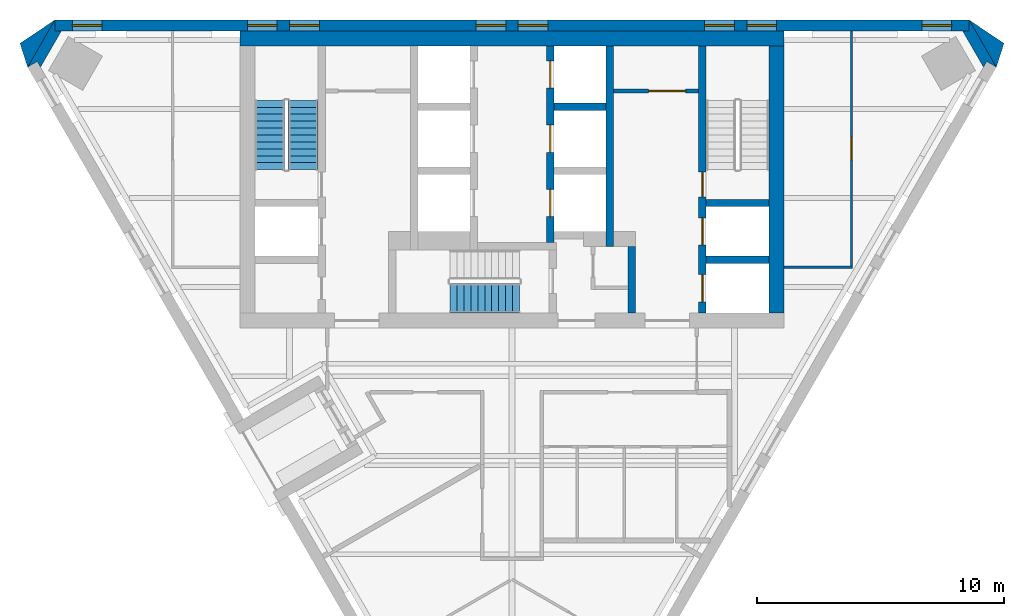
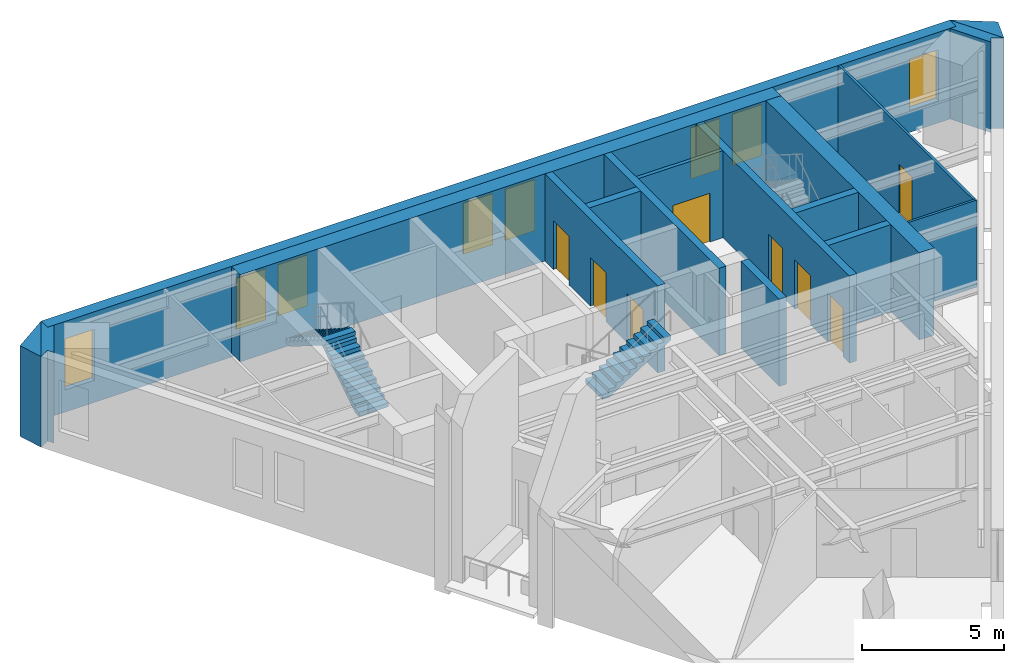
# One storey, part 5 of 7: 17 walls, 8 doors, 8 windows, 3 stair flights, 16 openings, 2 elements without a shape of their own.
"""IFC4 building model written with IfcOpenShell, lengths in metres."""

from ifc_helpers import new_model, si_unit, direction, frame, frame_2d, origin, place, context, subcontext, project, spatial, polyline, rectangle, outline, extrude, material, layer, layer_set, type_object, element, fill, aggregate, save


model = new_model("IFC4")

# Units and contexts
model_context = context("Model", 3, precision=1e-05, world=origin(), true_north=direction((0.0, 1.0)))
body_context = subcontext(model_context, "Body", "Model", "MODEL_VIEW")
ifc_project = project(units=[si_unit("LENGTHUNIT", "METRE"), si_unit("AREAUNIT", "SQUARE_METRE"), si_unit("VOLUMEUNIT", "CUBIC_METRE"), si_unit("PLANEANGLEUNIT", "RADIAN"), si_unit("MASSUNIT", "GRAM", prefix="KILO")], contexts=[model_context])

# Site, building, storey
site_placement = place(None, origin())
site = spatial("IfcSite", under=ifc_project, at=site_placement, CompositionType="ELEMENT")
building_placement = place(site_placement, origin())
building = spatial("IfcBuilding", under=site, at=building_placement, Name="Aloe Facet Convention Tower", CompositionType="ELEMENT")
storey_placement = place(building_placement, frame((0.0, 0.0, 258.199951171875)))
storey = spatial("IfcBuildingStorey", under=building, at=storey_placement, Name="L63", CompositionType="ELEMENT", Elevation=258.199951171875)

# Wall, opening, door
ifc_material_1 = material(Name="Concrete blockwork partition", Category="masonry")
ifc_layer_1 = layer(ifc_material_1, 0.14990234375)
ifc_layer_set_1 = layer_set([ifc_layer_1], Name="CR-W-PART150")
wall_type_1 = type_object("IfcWallType", Name="CR-W-PART150", PredefinedType="PARTITIONING", material=ifc_layer_set_1)
wall_1_placement = place(storey_placement, frame((84.10009765625, 132.125, 0.0), z_axis=(0.0, 0.0, 1.0), x_axis=(1.0, 0.0, 0.0)))
wall_1 = element("IfcWall", 1, at=wall_1_placement, inside=storey, type_object=wall_type_1, Name="Core partition L63-025", PredefinedType="PARTITIONING", context=body_context, shape_type="SweptSolid", body=[
    extrude(rectangle(XDim=3.449951171875, YDim=0.14990234375, at=frame_2d((1.72509765625, 0.0))), origin(), (0.0, 0.0, 1.0), 3.75),
])
opening_1_placement = place(wall_1_placement, frame((1.425048828125, 0.0, 0.0)))
opening_1 = element("IfcOpeningElement", 2, at=opening_1_placement, cuts=wall_1, Name="Opening L63-CD13", PredefinedType="OPENING", context=body_context, shape_type="SweptSolid", body=[
    extrude(rectangle(XDim=1.5, YDim=2.10009765625, at=frame_2d((0.75, 1.050048828125))), frame((0.0, 0.0849609375, 0.0), z_axis=(0.0, -1.0, 0.0), x_axis=(1.0, 0.0, 0.0)), (0.0, 0.0, 1.0), 0.169921875),
])
ifc_material_2 = material(Name="Steel fire-resisting door set FD60", Category="steel")
door_type_1 = type_object("IfcDoorType", Name="CR-D-REFUGE-1500-FD60-DD", OperationType="DOUBLE_DOOR_DOUBLE_SWING", PredefinedType="DOOR", material=ifc_material_2)
door_1_placement = place(opening_1_placement, origin())
door_1 = element("IfcDoor", 3, at=door_1_placement, inside=storey, type_object=door_type_1, Name="Core door L63-CD13", OperationType="DOUBLE_DOOR_DOUBLE_SWING", OverallHeight=2.10009765625, OverallWidth=1.5, PredefinedType="DOOR", context=body_context, shape_type="SweptSolid", body=[
    extrude(rectangle(XDim=1.5, YDim=2.10009765625, at=frame_2d((0.75, 1.050048828125))), frame((0.0, 0.02490234375, 0.0), z_axis=(0.0, -1.0, 0.0), x_axis=(1.0, 0.0, 0.0)), (0.0, 0.0, 1.0), 0.050048828125),
])
fill(opening_1, door_1)

# Wall, openings, doors
ifc_material_3 = material(Name="Concrete C50/60", Category="concrete")
ifc_layer_2 = layer(ifc_material_3, 0.300048828125)
ifc_layer_set_2 = layer_set([ifc_layer_2], Name="CR-W-RC300-C5060")
wall_type_2 = type_object("IfcWallType", Name="CR-W-RC300-C5060", PredefinedType="SOLIDWALL", material=ifc_layer_set_2)
wall_2_placement = place(storey_placement, frame((81.550048828125, 133.949951171875, 0.0), z_axis=(0.0, 0.0, 1.0), x_axis=(0.0, -1.0, 0.0)))
wall_2 = element("IfcWall", 4, at=wall_2_placement, inside=storey, type_object=wall_type_2, Name="Core wall L63-016", PredefinedType="SOLIDWALL", context=body_context, shape_type="SweptSolid", body=[
    extrude(rectangle(XDim=7.949951171875, YDim=0.300048828125, at=frame_2d((3.97509765625, 0.0))), origin(), (0.0, 0.0, 1.0), 3.75),
])
opening_2_placement = place(wall_2_placement, frame((0.60009765625, 0.0, 0.0)))
opening_2 = element("IfcOpeningElement", 5, at=opening_2_placement, cuts=wall_2, Name="Opening LD-B4-L63", PredefinedType="OPENING", context=body_context, shape_type="SweptSolid", body=[
    extrude(rectangle(XDim=1.10009765625, YDim=2.10009765625, at=frame_2d((0.550048828125, 1.050048828125))), frame((0.0, 0.16015625, 0.0), z_axis=(0.0, -1.0, 0.0), x_axis=(1.0, 0.0, 0.0)), (0.0, 0.0, 1.0), 0.320068359375),
])
opening_3_placement = place(wall_2_placement, frame((3.199951171875, 0.0, 0.0)))
opening_3 = element("IfcOpeningElement", 6, at=opening_3_placement, cuts=wall_2, Name="Opening LD-B5-L63", PredefinedType="OPENING", context=body_context, shape_type="SweptSolid", body=[
    extrude(rectangle(XDim=1.10009765625, YDim=2.10009765625, at=frame_2d((0.550048828125, 1.050048828125))), frame((0.0, 0.16015625, 0.0), z_axis=(0.0, -1.0, 0.0), x_axis=(1.0, 0.0, 0.0)), (0.0, 0.0, 1.0), 0.320068359375),
])
opening_4_placement = place(wall_2_placement, frame((5.800048828125, 0.0, 0.0)))
opening_4 = element("IfcOpeningElement", 7, at=opening_4_placement, cuts=wall_2, Name="Opening LD-B6-L63", PredefinedType="OPENING", context=body_context, shape_type="SweptSolid", body=[
    extrude(rectangle(XDim=1.10009765625, YDim=2.10009765625, at=frame_2d((0.550048828125, 1.050048828125))), frame((0.0, 0.16015625, 0.0), z_axis=(0.0, -1.0, 0.0), x_axis=(1.0, 0.0, 0.0)), (0.0, 0.0, 1.0), 0.320068359375),
])
ifc_material_4 = material(Name="Stainless steel sliding landing door", Category="steel")
door_type_2 = type_object("IfcDoorType", Name="CR-LD-1100-FD60-_LEFT", OperationType="SLIDING_TO_LEFT", PredefinedType="DOOR", material=ifc_material_4)
door_2_placement = place(opening_2_placement, origin())
door_2 = element("IfcDoor", 8, at=door_2_placement, inside=storey, type_object=door_type_2, Name="Landing door B4 L63", OperationType="SLIDING_TO_LEFT", OverallHeight=2.10009765625, OverallWidth=1.10009765625, PredefinedType="DOOR", context=body_context, shape_type="SweptSolid", body=[
    extrude(rectangle(XDim=1.10009765625, YDim=2.10009765625, at=frame_2d((0.550048828125, 1.050048828125))), frame((0.0, 0.02490234375, 0.0), z_axis=(0.0, -1.0, 0.0), x_axis=(1.0, 0.0, 0.0)), (0.0, 0.0, 1.0), 0.050048828125),
])
fill(opening_2, door_2)
door_3_placement = place(opening_3_placement, origin())
door_3 = element("IfcDoor", 9, at=door_3_placement, inside=storey, type_object=door_type_2, Name="Landing door B5 L63", OperationType="SLIDING_TO_LEFT", OverallHeight=2.10009765625, OverallWidth=1.10009765625, PredefinedType="DOOR", context=body_context, shape_type="SweptSolid", body=[
    extrude(rectangle(XDim=1.10009765625, YDim=2.10009765625, at=frame_2d((0.550048828125, 1.050048828125))), frame((0.0, 0.02490234375, 0.0), z_axis=(0.0, -1.0, 0.0), x_axis=(1.0, 0.0, 0.0)), (0.0, 0.0, 1.0), 0.050048828125),
])
fill(opening_3, door_3)
door_4_placement = place(opening_4_placement, origin())
door_4 = element("IfcDoor", 10, at=door_4_placement, inside=storey, type_object=door_type_2, Name="Landing door B6 L63", OperationType="SLIDING_TO_LEFT", OverallHeight=2.10009765625, OverallWidth=1.10009765625, PredefinedType="DOOR", context=body_context, shape_type="SweptSolid", body=[
    extrude(rectangle(XDim=1.10009765625, YDim=2.10009765625, at=frame_2d((0.550048828125, 1.050048828125))), frame((0.0, 0.02490234375, 0.0), z_axis=(0.0, -1.0, 0.0), x_axis=(1.0, 0.0, 0.0)), (0.0, 0.0, 1.0), 0.050048828125),
])
fill(opening_4, door_4)

# Walls
wall_3_placement = place(storey_placement, frame((81.699951171875, 131.5, 0.0), z_axis=(0.0, 0.0, 1.0), x_axis=(1.0, 0.0, 0.0)))
element("IfcWall", 11, at=wall_3_placement, inside=storey, type_object=wall_type_2, Name="Core wall L63-018", PredefinedType="SOLIDWALL", context=body_context, shape_type="SweptSolid", body=[
    extrude(rectangle(XDim=2.10009765625, YDim=0.300048828125, at=frame_2d((1.050048828125, 0.0))), origin(), (0.0, 0.0, 1.0), 3.75),
])
wall_4_placement = place(storey_placement, frame((83.949951171875, 133.949951171875, 0.0), z_axis=(0.0, 0.0, 1.0), x_axis=(0.0, -1.0, 0.0)))
element("IfcWall", 12, at=wall_4_placement, inside=storey, type_object=wall_type_2, Name="Core wall L63-024", PredefinedType="SOLIDWALL", context=body_context, shape_type="SweptSolid", body=[
    extrude(rectangle(XDim=8.099853515625, YDim=0.300048828125, at=frame_2d((4.0498046875, 0.0))), origin(), (0.0, 0.0, 1.0), 3.75),
])
wall_5_placement = place(storey_placement, frame((84.85009765625, 125.85009765625, 0.0), z_axis=(0.0, 0.0, 1.0), x_axis=(0.0, -1.0, 0.0)))
element("IfcWall", 13, at=wall_5_placement, inside=storey, type_object=wall_type_2, Name="Core wall L63-027", PredefinedType="SOLIDWALL", context=body_context, shape_type="SweptSolid", body=[
    extrude(rectangle(XDim=2.7001953125, YDim=0.300048828125, at=frame_2d((1.35009765625, 0.0))), origin(), (0.0, 0.0, 1.0), 3.75),
])

# Wall, openings, doors
wall_6_placement = place(storey_placement, frame((87.699951171875, 133.949951171875, 0.0), z_axis=(0.0, 0.0, 1.0), x_axis=(0.0, -1.0, 0.0)))
wall_6 = element("IfcWall", 14, at=wall_6_placement, inside=storey, type_object=wall_type_2, Name="Core wall L63-028", PredefinedType="SOLIDWALL", context=body_context, shape_type="SweptSolid", body=[
    extrude(rectangle(XDim=10.800048828125, YDim=0.300048828125, at=frame_2d((5.39990234375, 0.0))), origin(), (0.0, 0.0, 1.0), 3.75),
])
opening_5_placement = place(wall_6_placement, frame((6.949951171875, 0.0, 0.0)))
opening_5 = element("IfcOpeningElement", 15, at=opening_5_placement, cuts=wall_6, Name="Opening LD-FF2-L63", PredefinedType="OPENING", context=body_context, shape_type="SweptSolid", body=[
    extrude(rectangle(XDim=1.10009765625, YDim=2.10009765625, at=frame_2d((0.550048828125, 1.050048828125))), frame((0.0, 0.16015625, 0.0), z_axis=(0.0, -1.0, 0.0), x_axis=(1.0, 0.0, 0.0)), (0.0, 0.0, 1.0), 0.320068359375),
])
opening_6_placement = place(wall_6_placement, frame((5.10009765625, 0.0, 0.0)))
opening_6 = element("IfcOpeningElement", 16, at=opening_6_placement, cuts=wall_6, Name="Opening L63-CD17", PredefinedType="OPENING", context=body_context, shape_type="SweptSolid", body=[
    extrude(rectangle(XDim=1.0, YDim=2.10009765625, at=frame_2d((0.5, 1.050048828125))), frame((0.0, 0.16015625, 0.0), z_axis=(0.0, -1.0, 0.0), x_axis=(1.0, 0.0, 0.0)), (0.0, 0.0, 1.0), 0.320068359375),
])
opening_7_placement = place(wall_6_placement, frame((9.25, 0.0, 0.0)))
opening_7 = element("IfcOpeningElement", 17, at=opening_7_placement, cuts=wall_6, Name="Opening LD-SV1-L63", PredefinedType="OPENING", context=body_context, shape_type="SweptSolid", body=[
    extrude(rectangle(XDim=1.10009765625, YDim=2.10009765625, at=frame_2d((0.550048828125, 1.050048828125))), frame((0.0, 0.16015625, 0.0), z_axis=(0.0, -1.0, 0.0), x_axis=(1.0, 0.0, 0.0)), (0.0, 0.0, 1.0), 0.320068359375),
])
ifc_material_5 = material(Name="Steel fire-resisting door set FD120", Category="steel")
door_type_3 = type_object("IfcDoorType", Name="CR-D-STAIR-1000-FD120-SLEFT", OperationType="SINGLE_SWING_LEFT", PredefinedType="DOOR", material=ifc_material_5)
door_5_placement = place(opening_6_placement, origin())
door_5 = element("IfcDoor", 18, at=door_5_placement, inside=storey, type_object=door_type_3, Name="Core door L63-CD17", OperationType="SINGLE_SWING_LEFT", OverallHeight=2.10009765625, OverallWidth=1.0, PredefinedType="DOOR", context=body_context, shape_type="SweptSolid", body=[
    extrude(rectangle(XDim=1.0, YDim=2.10009765625, at=frame_2d((0.5, 1.050048828125))), frame((0.0, 0.02490234375, 0.0), z_axis=(0.0, -1.0, 0.0), x_axis=(1.0, 0.0, 0.0)), (0.0, 0.0, 1.0), 0.050048828125),
])
fill(opening_6, door_5)
ifc_material_6 = material(Name="Stainless steel sliding landing door", Category="steel")
door_type_4 = type_object("IfcDoorType", Name="CR-LD-1100-FD120-_LEFT", OperationType="SLIDING_TO_LEFT", PredefinedType="DOOR", material=ifc_material_6)
door_6_placement = place(opening_5_placement, origin())
door_6 = element("IfcDoor", 19, at=door_6_placement, inside=storey, type_object=door_type_4, Name="Landing door FF2 L63", OperationType="SLIDING_TO_LEFT", OverallHeight=2.10009765625, OverallWidth=1.10009765625, PredefinedType="DOOR", context=body_context, shape_type="SweptSolid", body=[
    extrude(rectangle(XDim=1.10009765625, YDim=2.10009765625, at=frame_2d((0.550048828125, 1.050048828125))), frame((0.0, 0.02490234375, 0.0), z_axis=(0.0, -1.0, 0.0), x_axis=(1.0, 0.0, 0.0)), (0.0, 0.0, 1.0), 0.050048828125),
])
fill(opening_5, door_6)
door_7_placement = place(opening_7_placement, origin())
door_7 = element("IfcDoor", 20, at=door_7_placement, inside=storey, type_object=door_type_4, Name="Landing door SV1 L63", OperationType="SLIDING_TO_LEFT", OverallHeight=2.10009765625, OverallWidth=1.10009765625, PredefinedType="DOOR", context=body_context, shape_type="SweptSolid", body=[
    extrude(rectangle(XDim=1.10009765625, YDim=2.10009765625, at=frame_2d((0.550048828125, 1.050048828125))), frame((0.0, 0.02490234375, 0.0), z_axis=(0.0, -1.0, 0.0), x_axis=(1.0, 0.0, 0.0)), (0.0, 0.0, 1.0), 0.050048828125),
])
fill(opening_7, door_7)

# Walls
for number, where, z_axis, x_axis, name in (
    (21, (87.85009765625, 127.60009765625, 0.0), (0.0, 0.0, 1.0), (1.0, 0.0, 0.0), "Core wall L63-029"),
    (22, (87.85009765625, 125.300048828125, 0.0), (0.0, 0.0, 1.0), (1.0, 0.0, 0.0), "Core wall L63-030"),
):
    element("IfcWall", number, at=place(storey_placement, frame(where, z_axis=z_axis, x_axis=x_axis)), inside=storey, type_object=wall_type_2, Name=name, PredefinedType="SOLIDWALL", context=body_context, shape_type="SweptSolid", body=[
        extrude(rectangle(XDim=2.5498046875, YDim=0.300048828125, at=frame_2d((1.27490234375, 0.0))), origin(), (0.0, 0.0, 1.0), 3.75),
    ])
ifc_material_7 = material(Name="Concrete C50/60", Category="concrete")
ifc_layer_3 = layer(ifc_material_7, 0.60009765625)
ifc_layer_set_3 = layer_set([ifc_layer_3], Name="CR-W-RC600-C5060")
wall_type_3 = type_object("IfcWallType", Name="CR-W-RC600-C5060", PredefinedType="SOLIDWALL", material=ifc_layer_set_3)
wall_7_placement = place(storey_placement, frame((69.0, 134.25, 0.0), z_axis=(0.0, 0.0, 1.0), x_axis=(1.0, 0.0, 0.0)))
element("IfcWall", 23, at=wall_7_placement, inside=storey, type_object=wall_type_3, Name="Core wall L63-001", PredefinedType="SOLIDWALL", context=body_context, shape_type="SweptSolid", body=[
    extrude(rectangle(XDim=22.0, YDim=0.60009765625, at=frame_2d((11.0, 0.0))), origin(), (0.0, 0.0, 1.0), 3.75),
])
wall_8_placement = place(storey_placement, frame((90.699951171875, 133.949951171875, 0.0), z_axis=(0.0, 0.0, 1.0), x_axis=(0.0, -1.0, 0.0)))
element("IfcWall", 24, at=wall_8_placement, inside=storey, type_object=wall_type_3, Name="Core wall L63-031", PredefinedType="SOLIDWALL", context=body_context, shape_type="SweptSolid", body=[
    extrude(rectangle(XDim=10.800048828125, YDim=0.60009765625, at=frame_2d((5.39990234375, 0.0))), origin(), (0.0, 0.0, 1.0), 3.75),
])
ifc_material_8 = material(Name="Precast concrete C40/50", Category="concrete")
ifc_layer_4 = layer(ifc_material_8, 0.449951171875)
ifc_layer_set_4 = layer_set([ifc_layer_4], Name="EV-WALL-PIER")
wall_type_4 = type_object("IfcWallType", Name="EV-WALL-PIER", PredefinedType="SOLIDWALL", material=ifc_layer_set_4)
wall_9_placement = place(storey_placement, frame((0.0, 0.0, -0.14990234375)))
element("IfcWall", 25, at=wall_9_placement, inside=storey, type_object=wall_type_4, Name="EP-L63-A", PredefinedType="SOLIDWALL", context=body_context, shape_type="SweptSolid", body=[
    extrude(outline(polyline([(61.513916015625, 135.0), (61.513916015625, 134.550048828125), (61.773681640625, 134.550048828125), (60.933349609375, 133.0947265625), (60.803466796875, 133.31982421875), (60.413818359375, 133.0947265625), (61.513916015625, 135.0)])), origin(), (0.0, 0.0, 1.0), 3.89990234375),
])
wall_10_placement = place(storey_placement, frame((0.0, 0.0, -0.14990234375)))
element("IfcWall", 26, at=wall_10_placement, inside=storey, type_object=wall_type_4, Name="EP-L63-C", PredefinedType="SOLIDWALL", context=body_context, shape_type="SweptSolid", body=[
    extrude(outline(polyline([(99.586181640625, 133.0947265625), (99.196533203125, 133.31982421875), (99.066650390625, 133.0947265625), (98.226318359375, 134.550048828125), (98.486083984375, 134.550048828125), (98.486083984375, 135.0), (99.586181640625, 133.0947265625)])), origin(), (0.0, 0.0, 1.0), 3.89990234375),
])
ifc_material_9 = material(Name="Precast concrete C40/50", Category="concrete")
ifc_layer_5 = layer(ifc_material_9, 3.947998046875)
ifc_layer_set_5 = layer_set([ifc_layer_5], Name="EV-WALL-SPINE")
wall_type_5 = type_object("IfcWallType", Name="EV-WALL-SPINE", PredefinedType="SOLIDWALL", material=ifc_layer_set_5)
wall_11_placement = place(storey_placement, frame((0.0, 0.0, -0.14990234375)))
element("IfcWall", 27, at=wall_11_placement, inside=storey, type_object=wall_type_5, Name="SP-NW-L63", PredefinedType="SOLIDWALL", context=body_context, shape_type="SweptSolid", body=[
    extrude(outline(polyline([(61.513916015625, 135.0), (60.10595703125, 134.056884765625), (60.413818359375, 133.0947265625), (61.513916015625, 135.0)])), origin(), (0.0, 0.0, 1.0), 3.89990234375),
])
wall_12_placement = place(storey_placement, frame((0.0, 0.0, -0.14990234375)))
element("IfcWall", 28, at=wall_12_placement, inside=storey, type_object=wall_type_5, Name="SP-NE-L63", PredefinedType="SOLIDWALL", context=body_context, shape_type="SweptSolid", body=[
    extrude(outline(polyline([(99.586181640625, 133.0947265625), (99.89404296875, 134.056884765625), (98.486083984375, 135.0), (99.586181640625, 133.0947265625)])), origin(), (0.0, 0.0, 1.0), 3.89990234375),
])

# Wall, openings, windows
ifc_material_10 = material(Name="Precast concrete C40/50", Category="concrete")
ifc_layer_6 = layer(ifc_material_10, 0.449951171875)
ifc_layer_set_6 = layer_set([ifc_layer_6], Name="EV-WALL-STONE")
wall_type_6 = type_object("IfcWallType", Name="EV-WALL-STONE", PredefinedType="SOLIDWALL", material=ifc_layer_set_6)
wall_13_placement = place(storey_placement, frame((98.486083984375, 134.77490234375, -0.14990234375), z_axis=(0.0, 0.0, 1.0), x_axis=(-1.0, 0.0, 0.0)))
wall_13 = element("IfcWall", 29, at=wall_13_placement, inside=storey, type_object=wall_type_6, Name="EW-L63-N01", PredefinedType="SOLIDWALL", context=body_context, shape_type="SweptSolid", body=[
    extrude(outline(polyline([(36.972412109375, 0.0), (36.972412109375, 3.89990234375), (0.0, 3.89990234375), (0.0, 0.0), (36.972412109375, 0.0)])), frame((0.0, 0.22509765625, 0.0), z_axis=(0.0, -1.0, 0.0), x_axis=(1.0, 0.0, 0.0)), (0.0, 0.0, 1.0), 0.449951171875),
])
opening_8_placement = place(wall_13_placement, frame((0.714599609375, 0.0, 0.949951171875)))
opening_8 = element("IfcOpeningElement", 30, at=opening_8_placement, cuts=wall_13, Name="Opening W-L63-N01", PredefinedType="OPENING", context=body_context, shape_type="SweptSolid", body=[
    extrude(rectangle(XDim=1.199951171875, YDim=2.199951171875, at=frame_2d((0.60009765625, 1.10009765625))), frame((0.0, 0.23486328125, 0.0), z_axis=(0.0, -1.0, 0.0), x_axis=(1.0, 0.0, 0.0)), (0.0, 0.0, 1.0), 0.469970703125),
])
opening_9_placement = place(wall_13_placement, frame((7.79296875, 0.0, 0.949951171875)))
opening_9 = element("IfcOpeningElement", 31, at=opening_9_placement, cuts=wall_13, Name="Opening W-L63-N02", PredefinedType="OPENING", context=body_context, shape_type="SweptSolid", body=[
    extrude(rectangle(XDim=1.199951171875, YDim=2.199951171875, at=frame_2d((0.60009765625, 1.10009765625))), frame((0.0, 0.23486328125, 0.0), z_axis=(0.0, -1.0, 0.0), x_axis=(1.0, 0.0, 0.0)), (0.0, 0.0, 1.0), 0.469970703125),
])
opening_10_placement = place(wall_13_placement, frame((9.4931640625, 0.0, 0.949951171875)))
opening_10 = element("IfcOpeningElement", 32, at=opening_10_placement, cuts=wall_13, Name="Opening W-L63-N03", PredefinedType="OPENING", context=body_context, shape_type="SweptSolid", body=[
    extrude(rectangle(XDim=1.199951171875, YDim=2.199951171875, at=frame_2d((0.60009765625, 1.10009765625))), frame((0.0, 0.23486328125, 0.0), z_axis=(0.0, -1.0, 0.0), x_axis=(1.0, 0.0, 0.0)), (0.0, 0.0, 1.0), 0.469970703125),
])
opening_11_placement = place(wall_13_placement, frame((17.0361328125, 0.0, 0.949951171875)))
opening_11 = element("IfcOpeningElement", 33, at=opening_11_placement, cuts=wall_13, Name="Opening W-L63-N04", PredefinedType="OPENING", context=body_context, shape_type="SweptSolid", body=[
    extrude(rectangle(XDim=1.199951171875, YDim=2.199951171875, at=frame_2d((0.60009765625, 1.10009765625))), frame((0.0, 0.23486328125, 0.0), z_axis=(0.0, -1.0, 0.0), x_axis=(1.0, 0.0, 0.0)), (0.0, 0.0, 1.0), 0.469970703125),
])
opening_12_placement = place(wall_13_placement, frame((18.736083984375, 0.0, 0.949951171875)))
opening_12 = element("IfcOpeningElement", 34, at=opening_12_placement, cuts=wall_13, Name="Opening W-L63-N05", PredefinedType="OPENING", context=body_context, shape_type="SweptSolid", body=[
    extrude(rectangle(XDim=1.199951171875, YDim=2.199951171875, at=frame_2d((0.60009765625, 1.10009765625))), frame((0.0, 0.23486328125, 0.0), z_axis=(0.0, -1.0, 0.0), x_axis=(1.0, 0.0, 0.0)), (0.0, 0.0, 1.0), 0.469970703125),
])
opening_13_placement = place(wall_13_placement, frame((26.279296875, 0.0, 0.949951171875)))
opening_13 = element("IfcOpeningElement", 35, at=opening_13_placement, cuts=wall_13, Name="Opening W-L63-N06", PredefinedType="OPENING", context=body_context, shape_type="SweptSolid", body=[
    extrude(rectangle(XDim=1.199951171875, YDim=2.199951171875, at=frame_2d((0.60009765625, 1.10009765625))), frame((0.0, 0.23486328125, 0.0), z_axis=(0.0, -1.0, 0.0), x_axis=(1.0, 0.0, 0.0)), (0.0, 0.0, 1.0), 0.469970703125),
])
opening_14_placement = place(wall_13_placement, frame((27.979248046875, 0.0, 0.949951171875)))
opening_14 = element("IfcOpeningElement", 36, at=opening_14_placement, cuts=wall_13, Name="Opening W-L63-N07", PredefinedType="OPENING", context=body_context, shape_type="SweptSolid", body=[
    extrude(rectangle(XDim=1.199951171875, YDim=2.199951171875, at=frame_2d((0.60009765625, 1.10009765625))), frame((0.0, 0.23486328125, 0.0), z_axis=(0.0, -1.0, 0.0), x_axis=(1.0, 0.0, 0.0)), (0.0, 0.0, 1.0), 0.469970703125),
])
opening_15_placement = place(wall_13_placement, frame((35.0576171875, 0.0, 0.949951171875)))
opening_15 = element("IfcOpeningElement", 37, at=opening_15_placement, cuts=wall_13, Name="Opening W-L63-N08", PredefinedType="OPENING", context=body_context, shape_type="SweptSolid", body=[
    extrude(rectangle(XDim=1.199951171875, YDim=2.199951171875, at=frame_2d((0.60009765625, 1.10009765625))), frame((0.0, 0.23486328125, 0.0), z_axis=(0.0, -1.0, 0.0), x_axis=(1.0, 0.0, 0.0)), (0.0, 0.0, 1.0), 0.469970703125),
])
ifc_material_11 = material(Name="Aluminium frame, clear double glazing", Category="aluminium")
window_type = type_object("IfcWindowType", Name="EV-WIN-O12", PartitioningType="SINGLE_PANEL", PredefinedType="WINDOW", material=ifc_material_11)
window_1_placement = place(opening_8_placement, origin())
window_1 = element("IfcWindow", 38, at=window_1_placement, inside=storey, type_object=window_type, Name="W-L63-N01", OverallHeight=2.199951171875, OverallWidth=1.199951171875, PartitioningType="SINGLE_PANEL", PredefinedType="WINDOW", context=body_context, shape_type="SweptSolid", body=[
    extrude(rectangle(XDim=1.199951171875, YDim=2.199951171875, at=frame_2d((0.60009765625, 1.10009765625))), frame((0.0, 0.030029296875, 0.0), z_axis=(0.0, -1.0, 0.0), x_axis=(1.0, 0.0, 0.0)), (0.0, 0.0, 1.0), 0.06005859375),
])
fill(opening_8, window_1)
window_2_placement = place(opening_9_placement, origin())
window_2 = element("IfcWindow", 39, at=window_2_placement, inside=storey, type_object=window_type, Name="W-L63-N02", OverallHeight=2.199951171875, OverallWidth=1.199951171875, PartitioningType="SINGLE_PANEL", PredefinedType="WINDOW", context=body_context, shape_type="SweptSolid", body=[
    extrude(rectangle(XDim=1.199951171875, YDim=2.199951171875, at=frame_2d((0.60009765625, 1.10009765625))), frame((0.0, 0.030029296875, 0.0), z_axis=(0.0, -1.0, 0.0), x_axis=(1.0, 0.0, 0.0)), (0.0, 0.0, 1.0), 0.06005859375),
])
fill(opening_9, window_2)
window_3_placement = place(opening_10_placement, origin())
window_3 = element("IfcWindow", 40, at=window_3_placement, inside=storey, type_object=window_type, Name="W-L63-N03", OverallHeight=2.199951171875, OverallWidth=1.199951171875, PartitioningType="SINGLE_PANEL", PredefinedType="WINDOW", context=body_context, shape_type="SweptSolid", body=[
    extrude(rectangle(XDim=1.199951171875, YDim=2.199951171875, at=frame_2d((0.60009765625, 1.10009765625))), frame((0.0, 0.030029296875, 0.0), z_axis=(0.0, -1.0, 0.0), x_axis=(1.0, 0.0, 0.0)), (0.0, 0.0, 1.0), 0.06005859375),
])
fill(opening_10, window_3)
window_4_placement = place(opening_11_placement, origin())
window_4 = element("IfcWindow", 41, at=window_4_placement, inside=storey, type_object=window_type, Name="W-L63-N04", OverallHeight=2.199951171875, OverallWidth=1.199951171875, PartitioningType="SINGLE_PANEL", PredefinedType="WINDOW", context=body_context, shape_type="SweptSolid", body=[
    extrude(rectangle(XDim=1.199951171875, YDim=2.199951171875, at=frame_2d((0.60009765625, 1.10009765625))), frame((0.0, 0.030029296875, 0.0), z_axis=(0.0, -1.0, 0.0), x_axis=(1.0, 0.0, 0.0)), (0.0, 0.0, 1.0), 0.06005859375),
])
fill(opening_11, window_4)
window_5_placement = place(opening_12_placement, origin())
window_5 = element("IfcWindow", 42, at=window_5_placement, inside=storey, type_object=window_type, Name="W-L63-N05", OverallHeight=2.199951171875, OverallWidth=1.199951171875, PartitioningType="SINGLE_PANEL", PredefinedType="WINDOW", context=body_context, shape_type="SweptSolid", body=[
    extrude(rectangle(XDim=1.199951171875, YDim=2.199951171875, at=frame_2d((0.60009765625, 1.10009765625))), frame((0.0, 0.030029296875, 0.0), z_axis=(0.0, -1.0, 0.0), x_axis=(1.0, 0.0, 0.0)), (0.0, 0.0, 1.0), 0.06005859375),
])
fill(opening_12, window_5)
window_6_placement = place(opening_13_placement, origin())
window_6 = element("IfcWindow", 43, at=window_6_placement, inside=storey, type_object=window_type, Name="W-L63-N06", OverallHeight=2.199951171875, OverallWidth=1.199951171875, PartitioningType="SINGLE_PANEL", PredefinedType="WINDOW", context=body_context, shape_type="SweptSolid", body=[
    extrude(rectangle(XDim=1.199951171875, YDim=2.199951171875, at=frame_2d((0.60009765625, 1.10009765625))), frame((0.0, 0.030029296875, 0.0), z_axis=(0.0, -1.0, 0.0), x_axis=(1.0, 0.0, 0.0)), (0.0, 0.0, 1.0), 0.06005859375),
])
fill(opening_13, window_6)
window_7_placement = place(opening_14_placement, origin())
window_7 = element("IfcWindow", 44, at=window_7_placement, inside=storey, type_object=window_type, Name="W-L63-N07", OverallHeight=2.199951171875, OverallWidth=1.199951171875, PartitioningType="SINGLE_PANEL", PredefinedType="WINDOW", context=body_context, shape_type="SweptSolid", body=[
    extrude(rectangle(XDim=1.199951171875, YDim=2.199951171875, at=frame_2d((0.60009765625, 1.10009765625))), frame((0.0, 0.030029296875, 0.0), z_axis=(0.0, -1.0, 0.0), x_axis=(1.0, 0.0, 0.0)), (0.0, 0.0, 1.0), 0.06005859375),
])
fill(opening_14, window_7)
window_8_placement = place(opening_15_placement, origin())
window_8 = element("IfcWindow", 45, at=window_8_placement, inside=storey, type_object=window_type, Name="W-L63-N08", OverallHeight=2.199951171875, OverallWidth=1.199951171875, PartitioningType="SINGLE_PANEL", PredefinedType="WINDOW", context=body_context, shape_type="SweptSolid", body=[
    extrude(rectangle(XDim=1.199951171875, YDim=2.199951171875, at=frame_2d((0.60009765625, 1.10009765625))), frame((0.0, 0.030029296875, 0.0), z_axis=(0.0, -1.0, 0.0), x_axis=(1.0, 0.0, 0.0)), (0.0, 0.0, 1.0), 0.06005859375),
])
fill(opening_15, window_8)

# Wall
ifc_material_12 = material(Name="Gypsum board partition on steel studs", Category="steel")
ifc_layer_7 = layer(ifc_material_12, 0.10009765625)
ifc_layer_set_7 = layer_set([ifc_layer_7], Name="IN-W-PART")
wall_type_7 = type_object("IfcWallType", Name="IN-W-PART", PredefinedType="PARTITIONING", material=ifc_layer_set_7)
wall_14_placement = place(storey_placement, frame((91.0, 125.0, 0.0), z_axis=(0.0, 0.0, 1.0), x_axis=(1.0, 0.0, 0.0)))
element("IfcWall", 46, at=wall_14_placement, inside=storey, type_object=wall_type_7, Name="Partition L63-W033", PredefinedType="PARTITIONING", context=body_context, shape_type="SweptSolid", body=[
    extrude(rectangle(XDim=2.777587890625, YDim=0.10009765625, at=frame_2d((1.388671875, 0.0))), origin(), (0.0, 0.0, 1.0), 3.75),
])

# Wall, opening, door
wall_15_placement = place(storey_placement, frame((93.727783203125, 125.050048828125, 0.0), z_axis=(0.0, 0.0, 1.0), x_axis=(0.0, 1.0, 0.0)))
wall_15 = element("IfcWall", 47, at=wall_15_placement, inside=storey, type_object=wall_type_7, Name="Partition L63-W034", PredefinedType="PARTITIONING", context=body_context, shape_type="SweptSolid", body=[
    extrude(rectangle(XDim=9.5, YDim=0.10009765625, at=frame_2d((4.75, 0.0))), origin(), (0.0, 0.0, 1.0), 3.75),
])
opening_16_placement = place(wall_15_placement, frame((4.300048828125, 0.0, 0.0)))
opening_16 = element("IfcOpeningElement", 48, at=opening_16_placement, cuts=wall_15, Name="Opening L63-006", PredefinedType="OPENING", context=body_context, shape_type="SweptSolid", body=[
    extrude(rectangle(XDim=0.89990234375, YDim=2.10009765625, at=frame_2d((0.449951171875, 1.050048828125))), frame((0.0, 0.06005859375, 0.0), z_axis=(0.0, -1.0, 0.0), x_axis=(1.0, 0.0, 0.0)), (0.0, 0.0, 1.0), 0.1201171875),
])
ifc_material_13 = material(Name="Timber door", Category="wood")
door_type_5 = type_object("IfcDoorType", Name="IN-OFF-D-ROOM", OperationType="SINGLE_SWING_LEFT", PredefinedType="DOOR", material=ifc_material_13)
door_8_placement = place(opening_16_placement, origin())
door_8 = element("IfcDoor", 49, at=door_8_placement, inside=storey, type_object=door_type_5, Name="Door L63-006", OperationType="SINGLE_SWING_LEFT", OverallHeight=2.10009765625, OverallWidth=0.89990234375, PredefinedType="DOOR", context=body_context, shape_type="SweptSolid", body=[
    extrude(rectangle(XDim=0.89990234375, YDim=2.10009765625, at=frame_2d((0.449951171875, 1.050048828125))), frame((0.0, 0.02490234375, 0.0), z_axis=(0.0, -1.0, 0.0), x_axis=(1.0, 0.0, 0.0)), (0.0, 0.0, 1.0), 0.050048828125),
])
fill(opening_16, door_8)

# Stair, stair flights
ifc_material_14 = material(Name="Concrete C50/60", Category="concrete")
stair_type = type_object("IfcStairType", Name="CR-ST-22R", PredefinedType="HALF_TURN_STAIR", material=ifc_material_14)
stair_1_placement = place(storey_placement, origin())
stair_1 = element("IfcStair", 50, at=stair_1_placement, inside=storey, type_object=stair_type, Name="L63 Protected exit stair ST1", PredefinedType="HALF_TURN_STAIR")
ifc_material_15 = material(Name="Concrete C50/60", Category="concrete")
stair_flight_type = type_object("IfcStairFlightType", Name="CR-SFL-22R", PredefinedType="STRAIGHT", material=ifc_material_15)
stair_flight_1_placement = place(storey_placement, frame((71.550048828125, 128.949951171875, 0.0), z_axis=(0.0, 0.0, 1.0), x_axis=(0.0, 1.0, 0.0)))
stair_flight_1 = element("IfcStairFlight", 51, at=stair_flight_1_placement, type_object=stair_flight_type, Name="ST1 flight 1", NumberOfRisers=11, NumberOfTreads=10, PredefinedType="STRAIGHT", RiserHeight=0.177272727, TreadLength=0.28, context=body_context, shape_type="SweptSolid", body=[
    extrude(outline(polyline([(0.0, 0.0), (0.0, 0.17724609375), (0.280029296875, 0.17724609375), (0.280029296875, 0.3544921875), (0.56005859375, 0.3544921875), (0.56005859375, 0.53173828125), (0.840087890625, 0.53173828125), (0.840087890625, 0.708984375), (1.1201171875, 0.708984375), (1.1201171875, 0.886474609375), (1.39990234375, 0.886474609375), (1.39990234375, 1.063720703125), (1.679931640625, 1.063720703125), (1.679931640625, 1.240966796875), (1.9599609375, 1.240966796875), (1.9599609375, 1.418212890625), (2.239990234375, 1.418212890625), (2.239990234375, 1.595458984375), (2.52001953125, 1.595458984375), (2.52001953125, 1.772705078125), (2.800048828125, 1.772705078125), (2.800048828125, 1.949951171875), (2.800048828125, 1.59521484375), (0.2802734375, 0.0), (0.0, 0.0)])), frame((0.0, 0.60009765625, 0.0), z_axis=(0.0, -1.0, 0.0), x_axis=(1.0, 0.0, 0.0)), (0.0, 0.0, 1.0), 1.199951171875),
])
stair_flight_2_placement = place(storey_placement, frame((70.199951171875, 131.75, 1.949951171875), z_axis=(0.0, 0.0, 1.0), x_axis=(0.0, -1.0, 0.0)))
stair_flight_2 = element("IfcStairFlight", 52, at=stair_flight_2_placement, type_object=stair_flight_type, Name="ST1 flight 2", NumberOfRisers=11, NumberOfTreads=10, PredefinedType="STRAIGHT", RiserHeight=0.177272727, TreadLength=0.28, context=body_context, shape_type="SweptSolid", body=[
    extrude(outline(polyline([(0.0, 0.0), (0.0, 0.17724609375), (0.280029296875, 0.17724609375), (0.280029296875, 0.3544921875), (0.56005859375, 0.3544921875), (0.56005859375, 0.53173828125), (0.840087890625, 0.53173828125), (0.840087890625, 0.708984375), (1.1201171875, 0.708984375), (1.1201171875, 0.886474609375), (1.39990234375, 0.886474609375), (1.39990234375, 1.063720703125), (1.679931640625, 1.063720703125), (1.679931640625, 1.240966796875), (1.9599609375, 1.240966796875), (1.9599609375, 1.418212890625), (2.239990234375, 1.418212890625), (2.239990234375, 1.595458984375), (2.52001953125, 1.595458984375), (2.52001953125, 1.772705078125), (2.800048828125, 1.772705078125), (2.800048828125, 1.949951171875), (2.800048828125, 1.59521484375), (0.2802734375, 0.0), (0.0, 0.0)])), frame((0.0, 0.60009765625, 0.0), z_axis=(0.0, -1.0, 0.0), x_axis=(1.0, 0.0, 0.0)), (0.0, 0.0, 1.0), 1.199951171875),
])
aggregate(stair_1, [stair_flight_1, stair_flight_2])

# Stair, stair flight
stair_2_placement = place(storey_placement, origin())
stair_2 = element("IfcStair", 53, at=stair_2_placement, inside=storey, type_object=stair_type, Name="L63 Protected exit stair ST3", PredefinedType="HALF_TURN_STAIR")
stair_flight_3_placement = place(storey_placement, frame((77.5, 123.75, 1.949951171875), z_axis=(0.0, 0.0, 1.0), x_axis=(1.0, 0.0, 0.0)))
stair_flight_3 = element("IfcStairFlight", 54, at=stair_flight_3_placement, type_object=stair_flight_type, Name="ST3 flight 2", NumberOfRisers=11, NumberOfTreads=10, PredefinedType="STRAIGHT", RiserHeight=0.177272727, TreadLength=0.28, context=body_context, shape_type="SweptSolid", body=[
    extrude(outline(polyline([(0.0, 0.0), (0.0, 0.17724609375), (0.280029296875, 0.17724609375), (0.280029296875, 0.3544921875), (0.56005859375, 0.3544921875), (0.56005859375, 0.53173828125), (0.840087890625, 0.53173828125), (0.840087890625, 0.708984375), (1.1201171875, 0.708984375), (1.1201171875, 0.886474609375), (1.39990234375, 0.886474609375), (1.39990234375, 1.063720703125), (1.679931640625, 1.063720703125), (1.679931640625, 1.240966796875), (1.9599609375, 1.240966796875), (1.9599609375, 1.418212890625), (2.239990234375, 1.418212890625), (2.239990234375, 1.595458984375), (2.52001953125, 1.595458984375), (2.52001953125, 1.772705078125), (2.800048828125, 1.772705078125), (2.800048828125, 1.949951171875), (2.800048828125, 1.59521484375), (0.2802734375, 0.0), (0.0, 0.0)])), frame((0.0, 0.60009765625, 0.0), z_axis=(0.0, -1.0, 0.0), x_axis=(1.0, 0.0, 0.0)), (0.0, 0.0, 1.0), 1.199951171875),
])
aggregate(stair_2, [stair_flight_3])

save(model, "model.ifc")
